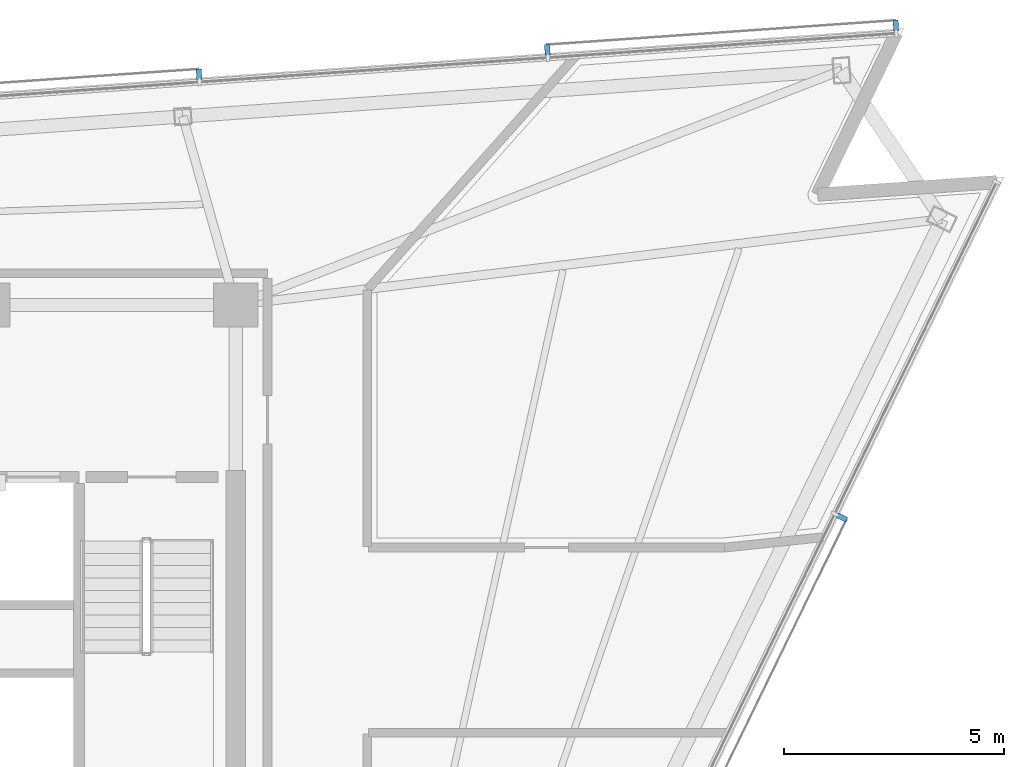
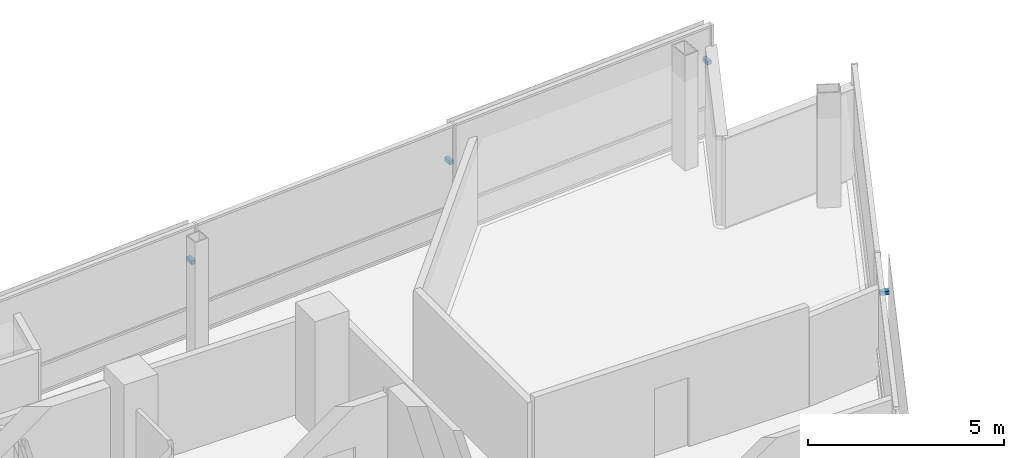
# One storey, part 13 of 16: 4 discrete accessories.
"""IFC4 building model written with IfcOpenShell, lengths in metres."""

from ifc_helpers import new_model, si_unit, direction, frame, origin, origin_2d, place, context, subcontext, project, spatial, rectangle, extrude, material, type_object, element, save


model = new_model("IFC4")

# Units and contexts
model_context = context("Model", 3, precision=1e-05, world=origin(), true_north=direction((0.0, 1.0)))
body_context = subcontext(model_context, "Body", "Model", "MODEL_VIEW")
ifc_project = project(units=[si_unit("LENGTHUNIT", "METRE"), si_unit("AREAUNIT", "SQUARE_METRE"), si_unit("VOLUMEUNIT", "CUBIC_METRE"), si_unit("PLANEANGLEUNIT", "RADIAN"), si_unit("MASSUNIT", "GRAM", prefix="KILO")], contexts=[model_context])

# Site, building, storey
site_placement = place(None, origin())
site = spatial("IfcSite", under=ifc_project, at=site_placement, CompositionType="ELEMENT")
building_placement = place(site_placement, origin())
building = spatial("IfcBuilding", under=site, at=building_placement, Name="Tharavind Bronze Gate", CompositionType="ELEMENT")
storey_placement = place(building_placement, frame((0.0, 0.0, 271.39990234375)))
storey = spatial("IfcBuildingStorey", under=building, at=storey_placement, Name="L70", CompositionType="ELEMENT", Elevation=271.39990234375)

# Discrete accessories
ifc_material = material(Name="Stainless Steel 316", Category="steel")
discrete_accessory_type = type_object("IfcDiscreteAccessoryType", Name="SOLAR SCREEN STANDOFF BRACKET", PredefinedType="BRACKET", material=ifc_material)
for number, where, z_axis, x_axis, name in (
    (1, (22.64697265625, 2.78466796875, 2.10009765625), (0.0, 0.0, 1.0), (0.43837271548, 0.898793281196, 0.0), "CW-L70-S2 solar screen bracket 5.2"),
    (2, (23.867919921875, 13.940673828125, 2.10009765625), (0.0, 0.0, 1.0), (-0.997563806758, -0.069759955899, 0.0), "CW-L70-S3 solar screen bracket 1.1"),
    (3, (15.966796875, 13.38818359375, 2.10009765625), (0.0, 0.0, 1.0), (-0.997563806758, -0.069759955899, 0.0), "CW-L70-S3 solar screen bracket 1.2"),
    (4, (8.06591796875, 12.835693359375, 2.10009765625), (0.0, 0.0, 1.0), (-0.997563806758, -0.069759955899, 0.0), "CW-L70-S3 solar screen bracket 3.1"),
):
    element("IfcDiscreteAccessory", number, at=place(storey_placement, frame(where, z_axis=z_axis, x_axis=x_axis)), inside=storey, type_object=discrete_accessory_type, Name=name, PredefinedType="BRACKET", context=body_context, shape_type="SweptSolid", body=[
        extrude(rectangle(XDim=0.1201171875, YDim=0.239990234375, at=origin_2d()), origin(), (0.0, 0.0, 1.0), 0.1201171875),
    ])

save(model, "model.ifc")
